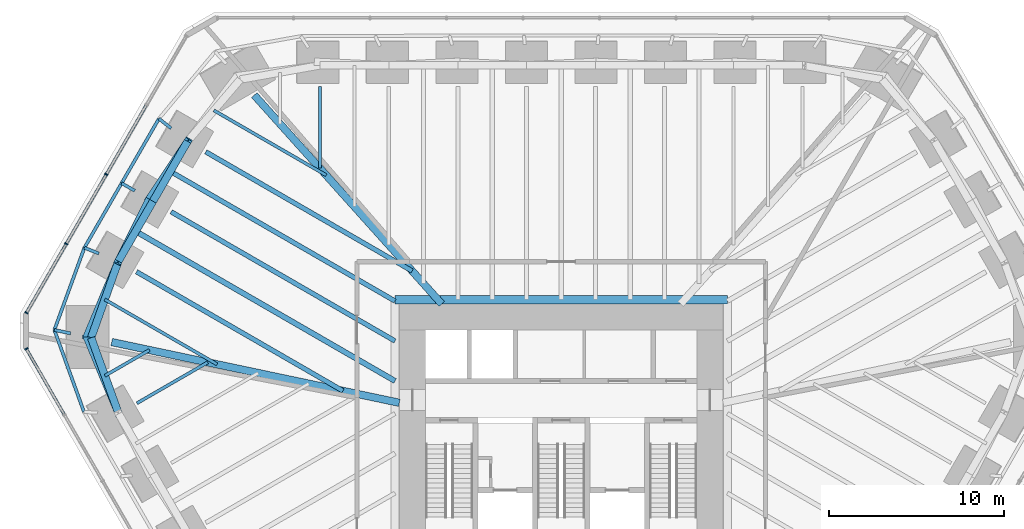
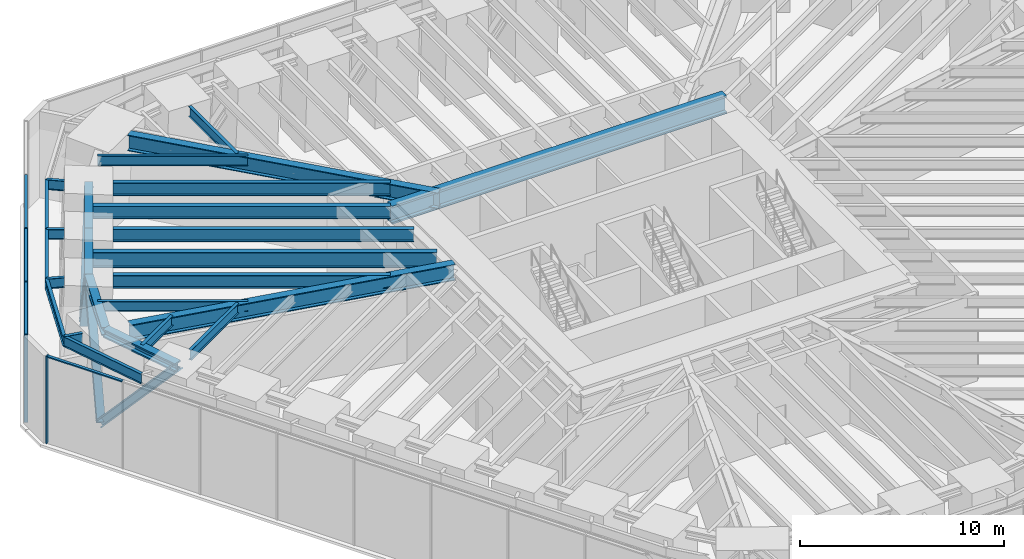
# One storey, part 6 of 13: 25 beams, 12 members, 2 elements without a shape of their own.
"""IFC4 building model written with IfcOpenShell, lengths in metres."""

from ifc_helpers import new_model, si_unit, direction, frame, origin, origin_2d, place, context, subcontext, project, spatial, rectangle, i_section, extrude, material, material_profile, profile_set, type_object, element, aggregate, save


model = new_model("IFC4")

# Units and contexts
model_context = context("Model", 3, precision=1e-05, world=origin(), true_north=direction((0.0, 1.0)))
body_context = subcontext(model_context, "Body", "Model", "MODEL_VIEW")
ifc_project = project(units=[si_unit("LENGTHUNIT", "METRE"), si_unit("AREAUNIT", "SQUARE_METRE"), si_unit("VOLUMEUNIT", "CUBIC_METRE"), si_unit("PLANEANGLEUNIT", "RADIAN"), si_unit("MASSUNIT", "GRAM", prefix="KILO")], contexts=[model_context])

# Site, building, storey
site_placement = place(None, origin())
site = spatial("IfcSite", under=ifc_project, at=site_placement, CompositionType="ELEMENT")
building_placement = place(site_placement, origin())
building = spatial("IfcBuilding", under=site, at=building_placement, Name="Sandreach Pilgrim Tower", CompositionType="ELEMENT")
storey_placement = place(building_placement, frame((0.0, 0.0, 91.39990234375)))
storey = spatial("IfcBuildingStorey", under=building, at=storey_placement, Name="L22", CompositionType="ELEMENT", Elevation=91.39990234375)

# Beams
ifc_material_1 = material(Name="Steel ASTM A913 Grade 65", Category="steel")
ifc_material_profile_1 = material_profile(ifc_material_1, i_section(OverallWidth=0.431884765625, OverallDepth=0.497802734375, WebThickness=0.0556640625, FlangeThickness=0.0888671875, at=origin_2d()), Name="W14X500")
ifc_profile_set_1 = profile_set([ifc_material_profile_1], Name="Steel ASTM A913 Grade 65")
beam_type_1 = type_object("IfcBeamType", Name="Belt truss chord W14X500", PredefinedType="BEAM", material=ifc_profile_set_1)
beam_1_placement = place(storey_placement, frame((-25.283935546875, 1.325439453125, 4.9912109375), z_axis=(-0.340453163563, 0.940261476091, 0.0), x_axis=(-0.940261476091, -0.340453163563, 0.0)))
element("IfcBeam", 1, at=beam_1_placement, inside=storey, type_object=beam_type_1, Name="BM L22 BTT34", PredefinedType="BEAM", context=body_context, shape_type="SweptSolid", body=[
    extrude(i_section(OverallWidth=0.431884765625, OverallDepth=0.497802734375, WebThickness=0.0556640625, FlangeThickness=0.0888671875, at=origin_2d()), origin(), (0.0, 0.0, 1.0), 4.62109375),
])
beam_2_placement = place(storey_placement, frame((-26.857177734375, 5.67041015625, 4.9912109375), z_axis=(0.335346041399, 0.942095023083, 0.0), x_axis=(-0.942095023083, 0.335346041399, 0.0)))
element("IfcBeam", 2, at=beam_2_placement, inside=storey, type_object=beam_type_1, Name="BM L22 BTT35", PredefinedType="BEAM", context=body_context, shape_type="SweptSolid", body=[
    extrude(i_section(OverallWidth=0.431884765625, OverallDepth=0.497802734375, WebThickness=0.0556640625, FlangeThickness=0.0888671875, at=origin_2d()), origin(), (0.0, 0.0, 1.0), 4.638916015625),
])
for number, where, z_axis, x_axis, name in (
    (3, (-25.301513671875, 10.040771484375, 4.9912109375), (0.499989616998, 0.866031398331, 0.0), (-0.866031398331, 0.499989616998, 0.0), "BM L22 BTT36"),
    (4, (-23.323974609375, 13.466064453125, 4.9912109375), (0.499989616998, 0.866031398331, 0.0), (-0.866031398331, 0.499989616998, 0.0), "BM L22 BTT37"),
):
    element("IfcBeam", number, at=place(storey_placement, frame(where, z_axis=z_axis, x_axis=x_axis)), inside=storey, type_object=beam_type_1, Name=name, PredefinedType="BEAM", context=body_context, shape_type="SweptSolid", body=[
        extrude(i_section(OverallWidth=0.431884765625, OverallDepth=0.497802734375, WebThickness=0.0556640625, FlangeThickness=0.0888671875, at=origin_2d()), origin(), (0.0, 0.0, 1.0), 3.955078125),
    ])

# Members
ifc_material_2 = material(Name="Steel ASTM A913 Grade 65", Category="steel")
ifc_material_profile_2 = material_profile(ifc_material_2, i_section(OverallWidth=0.424072265625, OverallDepth=0.47509765625, WebThickness=0.0478515625, FlangeThickness=0.0771484375, at=origin_2d()), Name="W14X426")
ifc_profile_set_2 = profile_set([ifc_material_profile_2], Name="Steel ASTM A913 Grade 65")
member_type_1 = type_object("IfcMemberType", Name="Belt truss diagonal W14X426", PredefinedType="BRACE", material=ifc_profile_set_2)
member_1_placement = place(storey_placement, frame((-25.283935546875, 1.325439453125, 4.9912109375), z_axis=(-0.253660010285, 0.610872710239, -0.749994087355), x_axis=(-0.923543367088, -0.383494001398, 0.0)))
element("IfcMember", 5, at=member_1_placement, inside=storey, type_object=member_type_1, Name="Belt truss diagonal L22 bay 34", PredefinedType="BRACE", context=body_context, shape_type="SweptSolid", body=[
    extrude(i_section(OverallWidth=0.424072265625, OverallDepth=0.47509765625, WebThickness=0.0478515625, FlangeThickness=0.0771484375, at=origin_2d()), origin(), (0.0, 0.0, 1.0), 7.2001953125),
])
member_2_placement = place(storey_placement, frame((-27.1103515625, 5.723876953125, -0.408935546875), z_axis=(0.253116662949, 0.604077316004, 0.755660341177), x_axis=(-0.92230655788, 0.386459070656, 0.0)))
element("IfcMember", 6, at=member_2_placement, inside=storey, type_object=member_type_1, Name="Belt truss diagonal L22 bay 35", PredefinedType="BRACE", context=body_context, shape_type="SweptSolid", body=[
    extrude(i_section(OverallWidth=0.424072265625, OverallDepth=0.47509765625, WebThickness=0.0478515625, FlangeThickness=0.0771484375, at=origin_2d()), origin(), (0.0, 0.0, 1.0), 7.146240234375),
])
for number, where, z_axis, x_axis, name in (
    (7, (-25.301513671875, 10.040771484375, 4.9912109375), (0.263158260247, 0.529888474719, -0.806204647979), (-0.895631412941, 0.444797001062, 0.0), "Belt truss diagonal L22 bay 36"),
    (8, (-23.538818359375, 13.590087890625, -0.408935546875), (0.327306981313, 0.492855790792, 0.806203020006), (-0.833034674703, 0.553220779384, 0.0), "Belt truss diagonal L22 bay 37"),
):
    element("IfcMember", number, at=place(storey_placement, frame(where, z_axis=z_axis, x_axis=x_axis)), inside=storey, type_object=member_type_1, Name=name, PredefinedType="BRACE", context=body_context, shape_type="SweptSolid", body=[
        extrude(i_section(OverallWidth=0.424072265625, OverallDepth=0.47509765625, WebThickness=0.0478515625, FlangeThickness=0.0771484375, at=origin_2d()), origin(), (0.0, 0.0, 1.0), 6.6982421875),
    ])

# Curtain wall, member
ifc_material_3 = material(Name="Aluminium framed curtain wall", Category="aluminium")
curtain_wall_type = type_object("IfcCurtainWallType", Name="Plant storey louvred curtain wall", PredefinedType="NOTDEFINED", material=ifc_material_3)
curtain_wall_1_placement = place(storey_placement, origin())
curtain_wall_1 = element("IfcCurtainWall", 9, at=curtain_wall_1_placement, inside=storey, type_object=curtain_wall_type, Name="CW-L L22 SW", PredefinedType="NOTDEFINED")
ifc_material_4 = material(Name="Aluminium extrusion", Category="aluminium")
ifc_material_profile_3 = material_profile(ifc_material_4, rectangle(XDim=0.080078125, YDim=0.199951171875, at=origin_2d()), Name="CW-LM 80X200")
ifc_profile_set_3 = profile_set([ifc_material_profile_3], Name="Aluminium extrusion")
member_type_2 = type_object("IfcMemberType", Name="CW-L mullion", PredefinedType="MULLION", material=ifc_profile_set_3)
member_3_placement = place(storey_placement, frame((-30.55615234375, 5.027587890625, 0.0), z_axis=(0.0, 0.0, 1.0), x_axis=(-0.5, 0.866025403784, 0.0)))
member_3 = element("IfcMember", 10, at=member_3_placement, type_object=member_type_2, Name="CW-L mullion 10", PredefinedType="MULLION", context=body_context, shape_type="SweptSolid", body=[
    extrude(rectangle(XDim=0.080078125, YDim=0.199951171875, at=origin_2d()), origin(), (0.0, 0.0, 1.0), 5.239990234375),
])

# Curtain wall, members
curtain_wall_2_placement = place(storey_placement, origin())
curtain_wall_2 = element("IfcCurtainWall", 11, at=curtain_wall_2_placement, inside=storey, type_object=curtain_wall_type, Name="CW-L L22 NW", PredefinedType="NOTDEFINED")
member_4_placement = place(storey_placement, frame((-30.55615234375, 7.096923828125, 0.0), z_axis=(0.0, 0.0, 1.0), x_axis=(0.5, 0.866025403784, 0.0)))
member_4 = element("IfcMember", 12, at=member_4_placement, type_object=member_type_2, Name="CW-L mullion 1", PredefinedType="MULLION", context=body_context, shape_type="SweptSolid", body=[
    extrude(rectangle(XDim=0.080078125, YDim=0.199951171875, at=origin_2d()), origin(), (0.0, 0.0, 1.0), 5.239990234375),
])
member_5_placement = place(storey_placement, frame((-28.283203125, 11.03369140625, 0.0), z_axis=(0.0, 0.0, 1.0), x_axis=(0.5, 0.866025403784, 0.0)))
member_5 = element("IfcMember", 13, at=member_5_placement, type_object=member_type_2, Name="CW-L mullion 2", PredefinedType="MULLION", context=body_context, shape_type="SweptSolid", body=[
    extrude(rectangle(XDim=0.080078125, YDim=0.199951171875, at=origin_2d()), origin(), (0.0, 0.0, 1.0), 5.239990234375),
])
member_6_placement = place(storey_placement, frame((-25.990234375, 15.00537109375, 0.0), z_axis=(0.0, 0.0, 1.0), x_axis=(0.5, 0.866025403784, 0.0)))
member_6 = element("IfcMember", 14, at=member_6_placement, type_object=member_type_2, Name="CW-L mullion 3", PredefinedType="MULLION", context=body_context, shape_type="SweptSolid", body=[
    extrude(rectangle(XDim=0.080078125, YDim=0.199951171875, at=origin_2d()), origin(), (0.0, 0.0, 1.0), 5.239990234375),
])

# Member
ifc_material_5 = material(Name="Aluminium extrusion", Category="aluminium")
ifc_material_profile_4 = material_profile(ifc_material_5, rectangle(XDim=0.159912109375, YDim=0.070068359375, at=origin_2d()), Name="CW-LT 160X70")
ifc_profile_set_4 = profile_set([ifc_material_profile_4], Name="Aluminium extrusion")
member_type_3 = type_object("IfcMemberType", Name="CW-L transom", PredefinedType="USERDEFINED", material=ifc_profile_set_4)
member_7_placement = place(storey_placement, frame((-28.410400390625, 1.31103515625, 5.205078125), z_axis=(-0.499999164051, 0.866025886419, 0.0), x_axis=(-0.866025886419, -0.499999164051, 0.0)))
member_7 = element("IfcMember", 15, at=member_7_placement, type_object=member_type_3, Name="CW-L head transom 9", ObjectType="TRANSOM", PredefinedType="USERDEFINED", context=body_context, shape_type="SweptSolid", body=[
    extrude(rectangle(XDim=0.159912109375, YDim=0.070068359375, at=origin_2d()), origin(), (0.0, 0.0, 1.0), 4.25146484375),
])

aggregate(curtain_wall_1, [member_3, member_7])

member_8_placement = place(storey_placement, frame((-30.5361328125, 7.13134765625, 5.205078125), z_axis=(0.499960628208, 0.866048133906, 0.0), x_axis=(-0.866048133906, 0.499960628208, 0.0)))
member_8 = element("IfcMember", 16, at=member_8_placement, type_object=member_type_3, Name="CW-L head transom 1", ObjectType="TRANSOM", PredefinedType="USERDEFINED", context=body_context, shape_type="SweptSolid", body=[
    extrude(rectangle(XDim=0.159912109375, YDim=0.070068359375, at=origin_2d()), origin(), (0.0, 0.0, 1.0), 4.466064453125),
])

member_9_placement = place(storey_placement, frame((-28.26318359375, 11.068359375, 5.205078125), z_axis=(0.499985098601, 0.86603400694, 0.0), x_axis=(-0.86603400694, 0.499985098601, 0.0)))
member_9 = element("IfcMember", 17, at=member_9_placement, type_object=member_type_3, Name="CW-L head transom 2", ObjectType="TRANSOM", PredefinedType="USERDEFINED", context=body_context, shape_type="SweptSolid", body=[
    extrude(rectangle(XDim=0.159912109375, YDim=0.070068359375, at=origin_2d()), origin(), (0.0, 0.0, 1.0), 4.506103515625),
])

member_10_placement = place(storey_placement, frame((-25.97021484375, 15.0400390625, 5.205078125), z_axis=(0.499985098601, 0.86603400694, 0.0), x_axis=(-0.86603400694, 0.499985098601, 0.0)))
member_10 = element("IfcMember", 18, at=member_10_placement, type_object=member_type_3, Name="CW-L head transom 3", ObjectType="TRANSOM", PredefinedType="USERDEFINED", context=body_context, shape_type="SweptSolid", body=[
    extrude(rectangle(XDim=0.159912109375, YDim=0.070068359375, at=origin_2d()), origin(), (0.0, 0.0, 1.0), 4.506103515625),
])

aggregate(curtain_wall_2, [member_4, member_5, member_6, member_8, member_9, member_10])

# Beams
ifc_material_6 = material(Name="Steel ASTM A992 Grade 50", Category="steel")
ifc_material_profile_5 = material_profile(ifc_material_6, i_section(OverallWidth=0.472412109375, OverallDepth=1.0947265625, WebThickness=0.07666015625, FlangeThickness=0.114990234375, at=origin_2d()), Name="W36X925")
ifc_profile_set_5 = profile_set([ifc_material_profile_5], Name="Steel ASTM A992 Grade 50")
beam_type_2 = type_object("IfcBeamType", Name="Core edge beam W36X925", PredefinedType="BEAM", material=ifc_profile_set_5)
beam_3_placement = place(storey_placement, frame((-9.496337890625, 7.84619140625, 4.692626953125), z_axis=(1.0, 0.0, 0.0), x_axis=(0.0, 1.0, 0.0)))
element("IfcBeam", 19, at=beam_3_placement, inside=storey, type_object=beam_type_2, Name="BM L22 CEN", PredefinedType="BEAM", context=body_context, shape_type="SweptSolid", body=[
    extrude(i_section(OverallWidth=0.472412109375, OverallDepth=1.0947265625, WebThickness=0.07666015625, FlangeThickness=0.114990234375, at=origin_2d()), origin(), (0.0, 0.0, 1.0), 18.99267578125),
])
ifc_material_7 = material(Name="Steel ASTM A992 Grade 50", Category="steel")
ifc_material_profile_6 = material_profile(ifc_material_7, i_section(OverallWidth=0.421630859375, OverallDepth=0.95751953125, WebThickness=0.02587890625, FlangeThickness=0.046875, at=origin_2d()), Name="W36X330")
ifc_profile_set_6 = profile_set([ifc_material_profile_6], Name="Steel ASTM A992 Grade 50")
beam_type_3 = type_object("IfcBeamType", Name="Corner girder W36X330", PredefinedType="BEAM", material=ifc_profile_set_6)
beam_4_placement = place(storey_placement, frame((-17.53759765625, 19.531005859375, 4.76123046875), z_axis=(0.668122277272, -0.74405149191, 0.0), x_axis=(0.74405149191, 0.668122277272, 0.0)))
element("IfcBeam", 20, at=beam_4_placement, inside=storey, type_object=beam_type_3, Name="BM L22 CG39", PredefinedType="BEAM", context=body_context, shape_type="SweptSolid", body=[
    extrude(i_section(OverallWidth=0.421630859375, OverallDepth=0.95751953125, WebThickness=0.02587890625, FlangeThickness=0.046875, at=origin_2d()), origin(), (0.0, 0.0, 1.0), 16.03515625),
])
ifc_material_8 = material(Name="Steel ASTM A992 Grade 50", Category="steel")
ifc_material_profile_7 = material_profile(ifc_material_8, i_section(OverallWidth=0.424072265625, OverallDepth=0.965087890625, WebThickness=0.028564453125, FlangeThickness=0.051025390625, at=origin_2d()), Name="W36X361")
ifc_profile_set_7 = profile_set([ifc_material_profile_7], Name="Steel ASTM A992 Grade 50")
beam_type_4 = type_object("IfcBeamType", Name="Corner girder W36X361", PredefinedType="BEAM", material=ifc_profile_set_7)
beam_5_placement = place(storey_placement, frame((-25.68310546875, 5.422607421875, 4.757568359375), z_axis=(0.978428081719, -0.206587726896, 0.0), x_axis=(0.206587726896, 0.978428081719, 0.0)))
element("IfcBeam", 21, at=beam_5_placement, inside=storey, type_object=beam_type_4, Name="BM L22 CG35", PredefinedType="BEAM", context=body_context, shape_type="SweptSolid", body=[
    extrude(i_section(OverallWidth=0.424072265625, OverallDepth=0.965087890625, WebThickness=0.028564453125, FlangeThickness=0.051025390625, at=origin_2d()), origin(), (0.0, 0.0, 1.0), 16.79541015625),
])
ifc_material_9 = material(Name="Steel ASTM A992 Grade 50", Category="steel")
ifc_material_profile_8 = material_profile(ifc_material_9, i_section(OverallWidth=0.1787109375, OverallDepth=0.60205078125, WebThickness=0.010986328125, FlangeThickness=0.014892578125, at=origin_2d()), Name="W24X62")
ifc_profile_set_8 = profile_set([ifc_material_profile_8], Name="Steel ASTM A992 Grade 50")
beam_type_5 = type_object("IfcBeamType", Name="Floor beam W24X62", PredefinedType="BEAM", material=ifc_profile_set_8)
for number, where, z_axis, x_axis, name in (
    (22, (-13.789794921875, 20.03369140625, 4.939208984375), (0.0, -1.0, 0.0), (1.0, 0.0, 0.0), "BM L22 F01"),
    (23, (-24.24462890625, 1.925537109375, 4.939208984375), (0.866040404911, 0.499974016386, 0.0), (-0.499974016386, 0.866040404911, 0.0), "BM L22 F34"),
):
    element("IfcBeam", number, at=place(storey_placement, frame(where, z_axis=z_axis, x_axis=x_axis)), inside=storey, type_object=beam_type_5, Name=name, PredefinedType="BEAM", context=body_context, shape_type="SweptSolid", body=[
        extrude(i_section(OverallWidth=0.1787109375, OverallDepth=0.60205078125, WebThickness=0.010986328125, FlangeThickness=0.014892578125, at=origin_2d()), origin(), (0.0, 0.0, 1.0), 4.676513671875),
    ])
beam_6_placement = place(storey_placement, frame((-26.070556640625, 3.498046875, 4.939208984375), z_axis=(0.866051374412, 0.499955014855, 0.0), x_axis=(-0.499955014855, 0.866051374412, 0.0)))
element("IfcBeam", 24, at=beam_6_placement, inside=storey, type_object=beam_type_5, Name="BM L22 FM34", PredefinedType="BEAM", context=body_context, shape_type="SweptSolid", body=[
    extrude(i_section(OverallWidth=0.1787109375, OverallDepth=0.60205078125, WebThickness=0.010986328125, FlangeThickness=0.014892578125, at=origin_2d()), origin(), (0.0, 0.0, 1.0), 2.938232421875),
])
for number, where, z_axis, x_axis, name in (
    (25, (-26.079345703125, 7.855712890625, 4.939208984375), (0.866025875064, -0.499999183719, 0.0), (0.499999183719, 0.866025875064, 0.0), "BM L22 FM35"),
    (26, (-19.8427734375, 18.65771484375, 4.939208984375), (0.866025875064, -0.499999183719, 0.0), (0.499999183719, 0.866025875064, 0.0), "BM L22 FM38"),
):
    element("IfcBeam", number, at=place(storey_placement, frame(where, z_axis=z_axis, x_axis=x_axis)), inside=storey, type_object=beam_type_5, Name=name, PredefinedType="BEAM", context=body_context, shape_type="SweptSolid", body=[
        extrude(i_section(OverallWidth=0.1787109375, OverallDepth=0.60205078125, WebThickness=0.010986328125, FlangeThickness=0.014892578125, at=origin_2d()), origin(), (0.0, 0.0, 1.0), 7.40771484375),
    ])
ifc_material_10 = material(Name="Steel ASTM A992 Grade 50", Category="steel")
ifc_material_profile_9 = material_profile(ifc_material_10, i_section(OverallWidth=0.2666015625, OverallDepth=0.761962890625, WebThickness=0.014404296875, FlangeThickness=0.021484375, at=origin_2d()), Name="W30X116")
ifc_profile_set_9 = profile_set([ifc_material_profile_9], Name="Steel ASTM A992 Grade 50")
beam_type_6 = type_object("IfcBeamType", Name="Floor beam W30X116", PredefinedType="BEAM", material=ifc_profile_set_9)
beam_7_placement = place(storey_placement, frame((-24.262451171875, 9.440673828125, 4.859130859375), z_axis=(0.866032106686, -0.499988390054, 0.0), x_axis=(0.499988390054, 0.866032106686, 0.0)))
element("IfcBeam", 27, at=beam_7_placement, inside=storey, type_object=beam_type_6, Name="BM L22 F36", PredefinedType="BEAM", context=body_context, shape_type="SweptSolid", body=[
    extrude(i_section(OverallWidth=0.2666015625, OverallDepth=0.761962890625, WebThickness=0.014404296875, FlangeThickness=0.021484375, at=origin_2d()), origin(), (0.0, 0.0, 1.0), 13.615478515625),
])
beam_8_placement = place(storey_placement, frame((-22.28466796875, 12.8662109375, 4.859130859375), z_axis=(0.866019565176, -0.500010112629, 0.0), x_axis=(0.500010112629, 0.866019565176, 0.0)))
element("IfcBeam", 28, at=beam_8_placement, inside=storey, type_object=beam_type_6, Name="BM L22 F37", PredefinedType="BEAM", context=body_context, shape_type="SweptSolid", body=[
    extrude(i_section(OverallWidth=0.2666015625, OverallDepth=0.761962890625, WebThickness=0.014404296875, FlangeThickness=0.021484375, at=origin_2d()), origin(), (0.0, 0.0, 1.0), 14.766845703125),
])
beam_9_placement = place(storey_placement, frame((-20.30712890625, 16.29150390625, 4.859130859375), z_axis=(0.866019859564, -0.500009602748, 0.0), x_axis=(0.500009602748, 0.866019859564, 0.0)))
element("IfcBeam", 29, at=beam_9_placement, inside=storey, type_object=beam_type_6, Name="BM L22 F38", PredefinedType="BEAM", context=body_context, shape_type="SweptSolid", body=[
    extrude(i_section(OverallWidth=0.2666015625, OverallDepth=0.761962890625, WebThickness=0.014404296875, FlangeThickness=0.021484375, at=origin_2d()), origin(), (0.0, 0.0, 1.0), 13.615478515625),
])
beam_10_placement = place(storey_placement, frame((-22.335205078125, 15.1787109375, 4.859130859375), z_axis=(0.866023235674, -0.500003755259, 0.0), x_axis=(0.500003755259, 0.866023235674, 0.0)))
element("IfcBeam", 30, at=beam_10_placement, inside=storey, type_object=beam_type_6, Name="BM L22 FM37", PredefinedType="BEAM", context=body_context, shape_type="SweptSolid", body=[
    extrude(i_section(OverallWidth=0.2666015625, OverallDepth=0.761962890625, WebThickness=0.014404296875, FlangeThickness=0.021484375, at=origin_2d()), origin(), (0.0, 0.0, 1.0), 14.8251953125),
])
ifc_material_11 = material(Name="Steel ASTM A992 Grade 50", Category="steel")
ifc_material_profile_10 = material_profile(ifc_material_11, i_section(OverallWidth=0.3046875, OverallDepth=0.914306640625, WebThickness=0.0166015625, FlangeThickness=0.02587890625, at=origin_2d()), Name="W36X160")
ifc_profile_set_10 = profile_set([ifc_material_profile_10], Name="Steel ASTM A992 Grade 50")
beam_type_7 = type_object("IfcBeamType", Name="Floor beam W36X160", PredefinedType="BEAM", material=ifc_profile_set_10)
beam_11_placement = place(storey_placement, frame((-24.312744140625, 11.75341796875, 4.782958984375), z_axis=(0.866020665211, -0.500008207361, 0.0), x_axis=(0.500008207361, 0.866020665211, 0.0)))
element("IfcBeam", 31, at=beam_11_placement, inside=storey, type_object=beam_type_7, Name="BM L22 FM36", PredefinedType="BEAM", context=body_context, shape_type="SweptSolid", body=[
    extrude(i_section(OverallWidth=0.3046875, OverallDepth=0.914306640625, WebThickness=0.0166015625, FlangeThickness=0.02587890625, at=origin_2d()), origin(), (0.0, 0.0, 1.0), 17.108642578125),
])
ifc_material_12 = material(Name="Steel ASTM A992 Grade 50", Category="steel")
ifc_material_profile_11 = material_profile(ifc_material_12, i_section(OverallWidth=0.1787109375, OverallDepth=0.60205078125, WebThickness=0.010986328125, FlangeThickness=0.014892578125, at=origin_2d()), Name="W24X62")
ifc_profile_set_11 = profile_set([ifc_material_profile_11], Name="Steel ASTM A992 Grade 50")
beam_type_8 = type_object("IfcBeamType", Name="Setback roof edge beam W24X62", PredefinedType="BEAM", material=ifc_profile_set_11)
beam_12_placement = place(storey_placement, frame((-27.26611328125, 1.429443359375, 4.899169921875), z_axis=(-0.339573389693, 0.940579562298, 0.0), x_axis=(-0.940579562298, -0.339573389693, 0.0)))
element("IfcBeam", 32, at=beam_12_placement, inside=storey, type_object=beam_type_8, Name="BM L22 RE34", PredefinedType="BEAM", context=body_context, shape_type="SweptSolid", body=[
    extrude(i_section(OverallWidth=0.1787109375, OverallDepth=0.60205078125, WebThickness=0.010986328125, FlangeThickness=0.014892578125, at=origin_2d()), origin(), (0.0, 0.0, 1.0), 4.980224609375),
])
beam_13_placement = place(storey_placement, frame((-28.957275390625, 6.11376953125, 4.899169921875), z_axis=(0.342934503261, 0.93935931702, 0.0), x_axis=(-0.93935931702, 0.342934503261, 0.0)))
element("IfcBeam", 33, at=beam_13_placement, inside=storey, type_object=beam_type_8, Name="BM L22 RE35", PredefinedType="BEAM", context=body_context, shape_type="SweptSolid", body=[
    extrude(i_section(OverallWidth=0.1787109375, OverallDepth=0.60205078125, WebThickness=0.010986328125, FlangeThickness=0.014892578125, at=origin_2d()), origin(), (0.0, 0.0, 1.0), 5.00048828125),
])
for number, where, z_axis, x_axis, name in (
    (34, (-27.242431640625, 10.81103515625, 4.899169921875), (0.499444503025, 0.866345882658, 0.0), (-0.866345882658, 0.499444503025, 0.0), "BM L22 RE36"),
    (35, (-25.115478515625, 14.50048828125, 4.899169921875), (0.500534503143, 0.865716588245, 0.0), (-0.865716588245, 0.500534503143, 0.0), "BM L22 RE37"),
):
    element("IfcBeam", number, at=place(storey_placement, frame(where, z_axis=z_axis, x_axis=x_axis)), inside=storey, type_object=beam_type_8, Name=name, PredefinedType="BEAM", context=body_context, shape_type="SweptSolid", body=[
        extrude(i_section(OverallWidth=0.1787109375, OverallDepth=0.60205078125, WebThickness=0.010986328125, FlangeThickness=0.014892578125, at=origin_2d()), origin(), (0.0, 0.0, 1.0), 4.258544921875),
    ])
ifc_material_13 = material(Name="Steel ASTM A992 Grade 50", Category="steel")
ifc_material_profile_12 = material_profile(ifc_material_13, i_section(OverallWidth=0.1787109375, OverallDepth=0.60205078125, WebThickness=0.010986328125, FlangeThickness=0.014892578125, at=origin_2d()), Name="W24X62")
ifc_profile_set_12 = profile_set([ifc_material_profile_12], Name="Steel ASTM A992 Grade 50")
beam_type_9 = type_object("IfcBeamType", Name="Setback roof outlooker W24X62", PredefinedType="BEAM", material=ifc_profile_set_12)
beam_14_placement = place(storey_placement, frame((-28.031494140625, 5.91845703125, 4.899169921875), z_axis=(-0.978462088397, 0.206426600928, 0.0), x_axis=(-0.206426600928, -0.978462088397, 0.0)))
element("IfcBeam", 36, at=beam_14_placement, inside=storey, type_object=beam_type_9, Name="BM L22 OL35", PredefinedType="BEAM", context=body_context, shape_type="SweptSolid", body=[
    extrude(i_section(OverallWidth=0.1787109375, OverallDepth=0.60205078125, WebThickness=0.010986328125, FlangeThickness=0.014892578125, at=origin_2d()), origin(), (0.0, 0.0, 1.0), 0.946044921875),
])
beam_15_placement = place(storey_placement, frame((-26.4169921875, 10.4833984375, 4.899169921875), z_axis=(-0.929459291608, 0.368924687766, 0.0), x_axis=(-0.368924687766, -0.929459291608, 0.0)))
element("IfcBeam", 37, at=beam_15_placement, inside=storey, type_object=beam_type_9, Name="BM L22 OL36", PredefinedType="BEAM", context=body_context, shape_type="SweptSolid", body=[
    extrude(i_section(OverallWidth=0.1787109375, OverallDepth=0.60205078125, WebThickness=0.010986328125, FlangeThickness=0.014892578125, at=origin_2d()), origin(), (0.0, 0.0, 1.0), 0.88818359375),
])
beam_16_placement = place(storey_placement, frame((-24.36328125, 14.066162109375, 4.899169921875), z_axis=(-0.866003030001, 0.500038750527, 0.0), x_axis=(-0.500038750527, -0.866003030001, 0.0)))
element("IfcBeam", 38, at=beam_16_placement, inside=storey, type_object=beam_type_9, Name="BM L22 OL37", PredefinedType="BEAM", context=body_context, shape_type="SweptSolid", body=[
    extrude(i_section(OverallWidth=0.1787109375, OverallDepth=0.60205078125, WebThickness=0.010986328125, FlangeThickness=0.014892578125, at=origin_2d()), origin(), (0.0, 0.0, 1.0), 0.86865234375),
])
beam_17_placement = place(storey_placement, frame((-22.287353515625, 17.635986328125, 4.899169921875), z_axis=(-0.784129414457, 0.620597342392, 0.0), x_axis=(-0.620597342392, -0.784129414457, 0.0)))
element("IfcBeam", 39, at=beam_17_placement, inside=storey, type_object=beam_type_9, Name="BM L22 OL38", PredefinedType="BEAM", context=body_context, shape_type="SweptSolid", body=[
    extrude(i_section(OverallWidth=0.1787109375, OverallDepth=0.60205078125, WebThickness=0.010986328125, FlangeThickness=0.014892578125, at=origin_2d()), origin(), (0.0, 0.0, 1.0), 0.88818359375),
])

save(model, "model.ifc")
